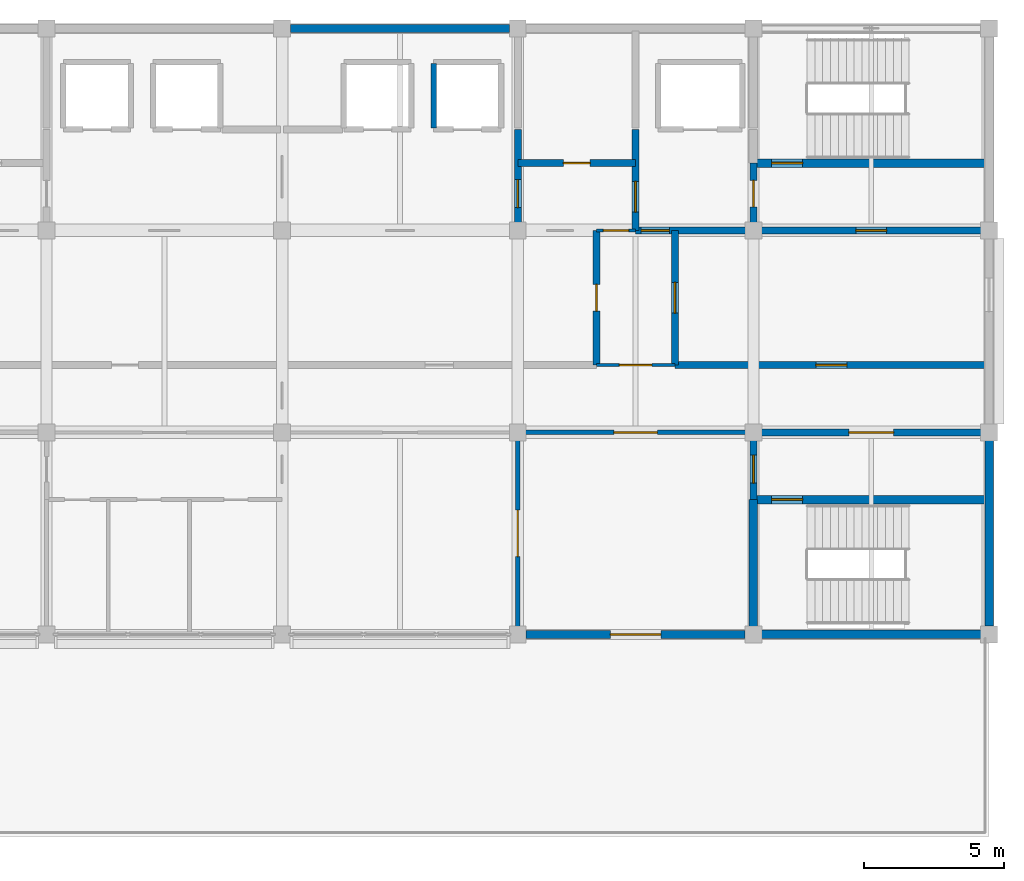
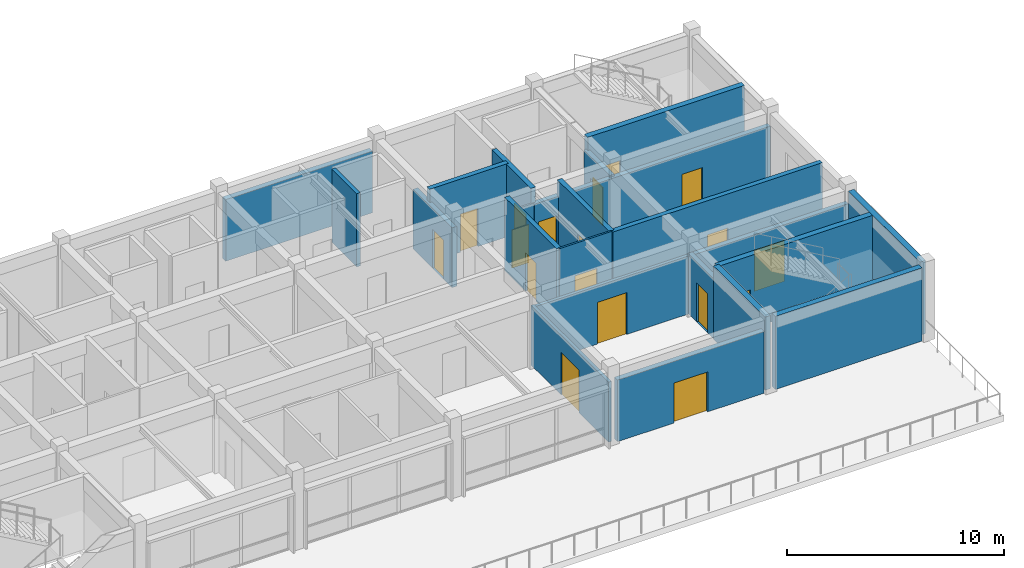
# One storey, part 8 of 11: 22 walls, 18 doors, 18 openings.
"""IFC4 building model written with IfcOpenShell, lengths in metres."""

from ifc_helpers import new_model, si_unit, direction, frame, frame_2d, origin, place, context, subcontext, project, spatial, rectangle, extrude, material, layer, layer_set, type_object, element, fill, save


model = new_model("IFC4")

# Units and contexts
model_context = context("Model", 3, precision=1e-05, world=origin(), true_north=direction((0.0, 1.0)))
body_context = subcontext(model_context, "Body", "Model", "MODEL_VIEW")
ifc_project = project(units=[si_unit("LENGTHUNIT", "METRE"), si_unit("AREAUNIT", "SQUARE_METRE"), si_unit("VOLUMEUNIT", "CUBIC_METRE"), si_unit("PLANEANGLEUNIT", "RADIAN"), si_unit("MASSUNIT", "GRAM", prefix="KILO")], contexts=[model_context])

# Site, building, storey
site_placement = place(None, origin())
site = spatial("IfcSite", under=ifc_project, at=site_placement, CompositionType="ELEMENT")
building_placement = place(site_placement, origin())
building = spatial("IfcBuilding", under=site, at=building_placement, Name="Chengyuan Square Courthouse", CompositionType="ELEMENT")
storey_placement = place(building_placement, frame((0.0, 0.0, 68.699951171875)))
storey = spatial("IfcBuildingStorey", under=building, at=storey_placement, Name="L16", CompositionType="ELEMENT", Elevation=68.699951171875)

# Wall
ifc_material_1 = material(Name="Concrete C40", Category="concrete")
ifc_layer_1 = layer(ifc_material_1, 0.280029296875)
ifc_layer_set_1 = layer_set([ifc_layer_1], Name="Concrete C40")
wall_type_1 = type_object("IfcWallType", Name="WL-EW4", PredefinedType="STANDARD", material=ifc_layer_set_1)
wall_1_placement = place(storey_placement, frame((84.294921875, 108.0, 0.0), z_axis=(0.0, 0.0, 1.0), x_axis=(1.0, 0.0, 0.0)))
element("IfcWall", 1, at=wall_1_placement, inside=storey, type_object=wall_type_1, Name="Exterior Wall WL-L16-E543", PredefinedType="STANDARD", context=body_context, shape_type="SweptSolid", body=[
    extrude(rectangle(XDim=7.81005859375, YDim=0.280029296875, at=frame_2d((3.905029296875, 0.0))), origin(), (0.0, 0.0, 1.0), 3.469970703125),
])

# Wall, opening, door
wall_2_placement = place(storey_placement, frame((92.695068359375, 86.39990234375, 0.0), z_axis=(0.0, 0.0, 1.0), x_axis=(1.0, 0.0, 0.0)))
wall_2 = element("IfcWall", 2, at=wall_2_placement, inside=storey, type_object=wall_type_1, Name="Exterior Wall WL-L16-E544", PredefinedType="STANDARD", context=body_context, shape_type="SweptSolid", body=[
    extrude(rectangle(XDim=7.809814453125, YDim=0.280029296875, at=frame_2d((3.90478515625, 0.0))), origin(), (0.0, 0.0, 1.0), 3.469970703125),
])
opening_1_placement = place(wall_2_placement, frame((3.0048828125, 0.0, 0.0)))
opening_1 = element("IfcOpeningElement", 3, at=opening_1_placement, cuts=wall_2, Name="Opening DR-010", PredefinedType="OPENING", context=body_context, shape_type="SweptSolid", body=[
    extrude(rectangle(XDim=1.800048828125, YDim=2.25, at=frame_2d((0.89990234375, 1.125))), frame((0.0, 0.152099609375, 0.0), z_axis=(0.0, -1.0, 0.0), x_axis=(1.0, 0.0, 0.0)), (0.0, 0.0, 1.0), 0.303955078125),
])
ifc_material_2 = material(Name="Thermally Broken Aluminium Terrace Door", Category="aluminium")
door_type_1 = type_object("IfcDoorType", Name="DT-02", OperationType="DOUBLE_DOOR_SINGLE_SWING", PredefinedType="DOOR", material=ifc_material_2)
door_1_placement = place(opening_1_placement, frame((1.800048828125, 0.0, 0.0), z_axis=(0.0, 0.0, 1.0), x_axis=(-1.0, 0.0, 0.0)))
door_1 = element("IfcDoor", 4, at=door_1_placement, inside=storey, type_object=door_type_1, Name="Planted Terrace Access Door DR-010", OperationType="DOUBLE_DOOR_SINGLE_SWING", OverallHeight=2.25, OverallWidth=1.800048828125, PredefinedType="DOOR", context=body_context, shape_type="SweptSolid", body=[
    extrude(rectangle(XDim=1.800048828125, YDim=2.25, at=frame_2d((0.89990234375, 1.125))), frame((0.0, 0.02490234375, 0.0), z_axis=(0.0, -1.0, 0.0), x_axis=(1.0, 0.0, 0.0)), (0.0, 0.0, 1.0), 0.050048828125),
])
fill(opening_1, door_1)

ifc_layer_2 = layer(ifc_material_1, 0.25)
ifc_layer_set_2 = layer_set([ifc_layer_2], Name="Concrete C40")
wall_type_2 = type_object("IfcWallType", Name="WL-FW1", PredefinedType="STANDARD", material=ifc_layer_set_2)
wall_3_placement = place(storey_placement, frame((100.800048828125, 93.60009765625, 0.0), z_axis=(0.0, 0.0, 1.0), x_axis=(1.0, 0.0, 0.0)))
wall_3 = element("IfcWall", 5, at=wall_3_placement, inside=storey, type_object=wall_type_2, Name="Interior Wall WL-L16-I4092", PredefinedType="STANDARD", context=body_context, shape_type="SweptSolid", body=[
    extrude(rectangle(XDim=8.35986328125, YDim=0.25, at=frame_2d((4.179931640625, 0.0))), origin(), (0.0, 0.0, 1.0), 3.27001953125),
])
opening_2_placement = place(wall_3_placement, frame((3.39990234375, 0.0, 0.0)))
opening_2 = element("IfcOpeningElement", 6, at=opening_2_placement, cuts=wall_3, Name="Opening DR-3380", PredefinedType="OPENING", context=body_context, shape_type="SweptSolid", body=[
    extrude(rectangle(XDim=1.60009765625, YDim=2.300048828125, at=frame_2d((0.800048828125, 1.14990234375))), frame((0.0, 0.136962890625, 0.0), z_axis=(0.0, -1.0, 0.0), x_axis=(1.0, 0.0, 0.0)), (0.0, 0.0, 1.0), 0.27392578125),
])
ifc_material_3 = material(Name="Steel Q235B Glazed Fire Door", Category="steel")
door_type_2 = type_object("IfcDoorType", Name="DT-17", OperationType="DOUBLE_DOOR_SINGLE_SWING", PredefinedType="DOOR", material=ifc_material_3)
door_2_placement = place(opening_2_placement, frame((1.60009765625, 0.0, 0.0), z_axis=(0.0, 0.0, 1.0), x_axis=(-1.0, 0.0, 0.0)))
door_2 = element("IfcDoor", 7, at=door_2_placement, inside=storey, type_object=door_type_2, Name="Interior Door DR-3380", OperationType="DOUBLE_DOOR_SINGLE_SWING", OverallHeight=2.300048828125, OverallWidth=1.60009765625, PredefinedType="DOOR", context=body_context, shape_type="SweptSolid", body=[
    extrude(rectangle(XDim=1.60009765625, YDim=2.300048828125, at=frame_2d((0.800048828125, 1.14990234375))), frame((0.0, 0.02490234375, 0.0), z_axis=(0.0, -1.0, 0.0), x_axis=(1.0, 0.0, 0.0)), (0.0, 0.0, 1.0), 0.050048828125),
])
fill(opening_2, door_2)

wall_4_placement = place(storey_placement, frame((98.0, 96.0, 0.0), z_axis=(0.0, 0.0, 1.0), x_axis=(1.0, 0.0, 0.0)))
wall_4 = element("IfcWall", 8, at=wall_4_placement, inside=storey, type_object=wall_type_2, Name="Interior Wall WL-L16-I4097", PredefinedType="STANDARD", context=body_context, shape_type="SweptSolid", body=[
    extrude(rectangle(XDim=11.159912109375, YDim=0.25, at=frame_2d((5.580078125, 0.0))), origin(), (0.0, 0.0, 1.0), 4.1201171875),
])
opening_3_placement = place(wall_4_placement, frame((5.030029296875, 0.0, 0.0)))
opening_3 = element("IfcOpeningElement", 9, at=opening_3_placement, cuts=wall_4, Name="Opening DR-3410", PredefinedType="OPENING", context=body_context, shape_type="SweptSolid", body=[
    extrude(rectangle(XDim=1.10009765625, YDim=2.199951171875, at=frame_2d((0.550048828125, 1.10009765625))), frame((0.0, 0.136962890625, 0.0), z_axis=(0.0, -1.0, 0.0), x_axis=(1.0, 0.0, 0.0)), (0.0, 0.0, 1.0), 0.27392578125),
])
ifc_material_4 = material(Name="Steel Q235B Fire Door", Category="steel")
door_type_3 = type_object("IfcDoorType", Name="DT-10", OperationType="NOTDEFINED", PredefinedType="DOOR", material=ifc_material_4)
door_3_placement = place(opening_3_placement, origin())
door_3 = element("IfcDoor", 10, at=door_3_placement, inside=storey, type_object=door_type_3, Name="Interior Door DR-3410", OperationType="SINGLE_SWING_RIGHT", OverallHeight=2.199951171875, OverallWidth=1.10009765625, PredefinedType="DOOR", context=body_context, shape_type="SweptSolid", body=[
    extrude(rectangle(XDim=1.10009765625, YDim=2.199951171875, at=frame_2d((0.550048828125, 1.10009765625))), frame((0.0, 0.02490234375, 0.0), z_axis=(0.0, -1.0, 0.0), x_axis=(1.0, 0.0, 0.0)), (0.0, 0.0, 1.0), 0.050048828125),
])
fill(opening_3, door_3)

# Wall, openings, doors
wall_5_placement = place(storey_placement, frame((96.60009765625, 100.800048828125, 0.0), z_axis=(0.0, 0.0, 1.0), x_axis=(1.0, 0.0, 0.0)))
wall_5 = element("IfcWall", 11, at=wall_5_placement, inside=storey, type_object=wall_type_2, Name="Interior Wall WL-L16-I4102", PredefinedType="STANDARD", context=body_context, shape_type="SweptSolid", body=[
    extrude(rectangle(XDim=12.559814453125, YDim=0.25, at=frame_2d((6.27978515625, 0.0))), origin(), (0.0, 0.0, 1.0), 3.27001953125),
])
opening_4_placement = place(wall_5_placement, frame((7.85009765625, 0.0, 0.0)))
opening_4 = element("IfcOpeningElement", 12, at=opening_4_placement, cuts=wall_5, Name="Opening DR-3377", PredefinedType="OPENING", context=body_context, shape_type="SweptSolid", body=[
    extrude(rectangle(XDim=1.10009765625, YDim=2.199951171875, at=frame_2d((0.550048828125, 1.10009765625))), frame((0.0, 0.136962890625, 0.0), z_axis=(0.0, -1.0, 0.0), x_axis=(1.0, 0.0, 0.0)), (0.0, 0.0, 1.0), 0.27392578125),
])
opening_5_placement = place(wall_5_placement, frame((0.199951171875, 0.0, 0.0)))
opening_5 = element("IfcOpeningElement", 13, at=opening_5_placement, cuts=wall_5, Name="Opening DR-3393", PredefinedType="OPENING", context=body_context, shape_type="SweptSolid", body=[
    extrude(rectangle(XDim=1.0, YDim=2.199951171875, at=frame_2d((0.5, 1.10009765625))), frame((0.0, 0.136962890625, 0.0), z_axis=(0.0, -1.0, 0.0), x_axis=(1.0, 0.0, 0.0)), (0.0, 0.0, 1.0), 0.27392578125),
])
door_4_placement = place(opening_4_placement, origin())
door_4 = element("IfcDoor", 14, at=door_4_placement, inside=storey, type_object=door_type_3, Name="Interior Door DR-3377", OperationType="SINGLE_SWING_RIGHT", OverallHeight=2.199951171875, OverallWidth=1.10009765625, PredefinedType="DOOR", context=body_context, shape_type="SweptSolid", body=[
    extrude(rectangle(XDim=1.10009765625, YDim=2.199951171875, at=frame_2d((0.550048828125, 1.10009765625))), frame((0.0, 0.02490234375, 0.0), z_axis=(0.0, -1.0, 0.0), x_axis=(1.0, 0.0, 0.0)), (0.0, 0.0, 1.0), 0.050048828125),
])
fill(opening_4, door_4)
door_type_4 = type_object("IfcDoorType", Name="DT-11", OperationType="NOTDEFINED", PredefinedType="DOOR", material=ifc_material_4)
door_5_placement = place(opening_5_placement, origin())
door_5 = element("IfcDoor", 15, at=door_5_placement, inside=storey, type_object=door_type_4, Name="Interior Door DR-3393", OperationType="SINGLE_SWING_RIGHT", OverallHeight=2.199951171875, OverallWidth=1.0, PredefinedType="DOOR", context=body_context, shape_type="SweptSolid", body=[
    extrude(rectangle(XDim=1.0, YDim=2.199951171875, at=frame_2d((0.5, 1.10009765625))), frame((0.0, 0.02490234375, 0.0), z_axis=(0.0, -1.0, 0.0), x_axis=(1.0, 0.0, 0.0)), (0.0, 0.0, 1.0), 0.050048828125),
])
fill(opening_5, door_5)

# Wall, opening, door
wall_6_placement = place(storey_placement, frame((92.39990234375, 103.199951171875, 0.0), z_axis=(0.0, 0.0, 1.0), x_axis=(1.0, 0.0, 0.0)))
wall_6 = element("IfcWall", 16, at=wall_6_placement, inside=storey, type_object=wall_type_2, Name="Interior Wall WL-L16-I4105", PredefinedType="STANDARD", context=body_context, shape_type="SweptSolid", body=[
    extrude(rectangle(XDim=4.2001953125, YDim=0.25, at=frame_2d((2.10009765625, 0.0))), origin(), (0.0, 0.0, 1.0), 4.1201171875),
])
opening_6_placement = place(wall_6_placement, frame((1.625, 0.0, 0.0)))
opening_6 = element("IfcOpeningElement", 17, at=opening_6_placement, cuts=wall_6, Name="Opening DR-3388", PredefinedType="OPENING", context=body_context, shape_type="SweptSolid", body=[
    extrude(rectangle(XDim=0.949951171875, YDim=2.14990234375, at=frame_2d((0.47509765625, 1.074951171875))), frame((0.0, 0.136962890625, 0.0), z_axis=(0.0, -1.0, 0.0), x_axis=(1.0, 0.0, 0.0)), (0.0, 0.0, 1.0), 0.27392578125),
])
door_type_5 = type_object("IfcDoorType", Name="DT-12", OperationType="NOTDEFINED", PredefinedType="DOOR", material=ifc_material_4)
door_6_placement = place(opening_6_placement, origin())
door_6 = element("IfcDoor", 18, at=door_6_placement, inside=storey, type_object=door_type_5, Name="Interior Door DR-3388", OperationType="SINGLE_SWING_LEFT", OverallHeight=2.14990234375, OverallWidth=0.949951171875, PredefinedType="DOOR", context=body_context, shape_type="SweptSolid", body=[
    extrude(rectangle(XDim=0.949951171875, YDim=2.14990234375, at=frame_2d((0.47509765625, 1.074951171875))), frame((0.0, 0.02490234375, 0.0), z_axis=(0.0, -1.0, 0.0), x_axis=(1.0, 0.0, 0.0)), (0.0, 0.0, 1.0), 0.050048828125),
])
fill(opening_6, door_6)

wall_7_placement = place(storey_placement, frame((92.39990234375, 100.800048828125, 0.0), z_axis=(0.0, 0.0, 1.0), x_axis=(0.0, 1.0, 0.0)))
wall_7 = element("IfcWall", 19, at=wall_7_placement, inside=storey, type_object=wall_type_2, Name="Interior Wall WL-L16-I4148", PredefinedType="STANDARD", context=body_context, shape_type="SweptSolid", body=[
    extrude(rectangle(XDim=3.599853515625, YDim=0.25, at=frame_2d((1.7998046875, 0.0))), origin(), (0.0, 0.0, 1.0), 3.3701171875),
])
opening_7_placement = place(wall_7_placement, frame((0.81005859375, 0.0, 0.0)))
opening_7 = element("IfcOpeningElement", 20, at=opening_7_placement, cuts=wall_7, Name="Opening DR-3390", PredefinedType="OPENING", context=body_context, shape_type="SweptSolid", body=[
    extrude(rectangle(XDim=1.0, YDim=2.199951171875, at=frame_2d((0.5, 1.10009765625))), frame((0.0, 0.136962890625, 0.0), z_axis=(0.0, -1.0, 0.0), x_axis=(1.0, 0.0, 0.0)), (0.0, 0.0, 1.0), 0.27392578125),
])
door_7_placement = place(opening_7_placement, origin())
door_7 = element("IfcDoor", 21, at=door_7_placement, inside=storey, type_object=door_type_4, Name="Interior Door DR-3390", OperationType="SINGLE_SWING_LEFT", OverallHeight=2.199951171875, OverallWidth=1.0, PredefinedType="DOOR", context=body_context, shape_type="SweptSolid", body=[
    extrude(rectangle(XDim=1.0, YDim=2.199951171875, at=frame_2d((0.5, 1.10009765625))), frame((0.0, 0.02490234375, 0.0), z_axis=(0.0, -1.0, 0.0), x_axis=(1.0, 0.0, 0.0)), (0.0, 0.0, 1.0), 0.050048828125),
])
fill(opening_7, door_7)

wall_8_placement = place(storey_placement, frame((95.199951171875, 96.0, 0.0), z_axis=(0.0, 0.0, 1.0), x_axis=(0.0, 1.0, 0.0)))
wall_8 = element("IfcWall", 22, at=wall_8_placement, inside=storey, type_object=wall_type_2, Name="Interior Wall WL-L16-I4150", PredefinedType="STANDARD", context=body_context, shape_type="SweptSolid", body=[
    extrude(rectangle(XDim=4.800048828125, YDim=0.25, at=frame_2d((2.39990234375, 0.0))), origin(), (0.0, 0.0, 1.0), 4.1201171875),
])
opening_8_placement = place(wall_8_placement, frame((1.925048828125, 0.0, 0.0)))
opening_8 = element("IfcOpeningElement", 23, at=opening_8_placement, cuts=wall_8, Name="Opening DR-3415", PredefinedType="OPENING", context=body_context, shape_type="SweptSolid", body=[
    extrude(rectangle(XDim=0.949951171875, YDim=2.14990234375, at=frame_2d((0.47509765625, 1.074951171875))), frame((0.0, 0.136962890625, 0.0), z_axis=(0.0, -1.0, 0.0), x_axis=(1.0, 0.0, 0.0)), (0.0, 0.0, 1.0), 0.27392578125),
])
door_8_placement = place(opening_8_placement, origin())
door_8 = element("IfcDoor", 24, at=door_8_placement, inside=storey, type_object=door_type_5, Name="Interior Door DR-3415", OperationType="SINGLE_SWING_RIGHT", OverallHeight=2.14990234375, OverallWidth=0.949951171875, PredefinedType="DOOR", context=body_context, shape_type="SweptSolid", body=[
    extrude(rectangle(XDim=0.949951171875, YDim=2.14990234375, at=frame_2d((0.47509765625, 1.074951171875))), frame((0.0, 0.02490234375, 0.0), z_axis=(0.0, -1.0, 0.0), x_axis=(1.0, 0.0, 0.0)), (0.0, 0.0, 1.0), 0.050048828125),
])
fill(opening_8, door_8)

wall_9_placement = place(storey_placement, frame((96.60009765625, 100.800048828125, 0.0), z_axis=(0.0, 0.0, 1.0), x_axis=(0.0, 1.0, 0.0)))
wall_9 = element("IfcWall", 25, at=wall_9_placement, inside=storey, type_object=wall_type_2, Name="Interior Wall WL-L16-I4151", PredefinedType="STANDARD", context=body_context, shape_type="SweptSolid", body=[
    extrude(rectangle(XDim=3.599853515625, YDim=0.25, at=frame_2d((1.7998046875, 0.0))), origin(), (0.0, 0.0, 1.0), 4.1201171875),
])
opening_9_placement = place(wall_9_placement, frame((0.64990234375, 0.0, 0.0)))
opening_9 = element("IfcOpeningElement", 26, at=opening_9_placement, cuts=wall_9, Name="Opening DR-3389", PredefinedType="OPENING", context=body_context, shape_type="SweptSolid", body=[
    extrude(rectangle(XDim=1.10009765625, YDim=2.199951171875, at=frame_2d((0.550048828125, 1.10009765625))), frame((0.0, 0.136962890625, 0.0), z_axis=(0.0, -1.0, 0.0), x_axis=(1.0, 0.0, 0.0)), (0.0, 0.0, 1.0), 0.27392578125),
])
door_9_placement = place(opening_9_placement, origin())
door_9 = element("IfcDoor", 27, at=door_9_placement, inside=storey, type_object=door_type_3, Name="Interior Door DR-3389", OperationType="SINGLE_SWING_RIGHT", OverallHeight=2.199951171875, OverallWidth=1.10009765625, PredefinedType="DOOR", context=body_context, shape_type="SweptSolid", body=[
    extrude(rectangle(XDim=1.10009765625, YDim=2.199951171875, at=frame_2d((0.550048828125, 1.10009765625))), frame((0.0, 0.02490234375, 0.0), z_axis=(0.0, -1.0, 0.0), x_axis=(1.0, 0.0, 0.0)), (0.0, 0.0, 1.0), 0.050048828125),
])
fill(opening_9, door_9)

wall_10_placement = place(storey_placement, frame((98.0, 96.0, 0.0), z_axis=(0.0, 0.0, 1.0), x_axis=(0.0, 1.0, 0.0)))
wall_10 = element("IfcWall", 28, at=wall_10_placement, inside=storey, type_object=wall_type_2, Name="Interior Wall WL-L16-I4154", PredefinedType="STANDARD", context=body_context, shape_type="SweptSolid", body=[
    extrude(rectangle(XDim=4.800048828125, YDim=0.25, at=frame_2d((2.39990234375, 0.0))), origin(), (0.0, 0.0, 1.0), 4.1201171875),
])
opening_10_placement = place(wall_10_placement, frame((1.85009765625, 0.0, 0.0)))
opening_10 = element("IfcOpeningElement", 29, at=opening_10_placement, cuts=wall_10, Name="Opening DR-3416", PredefinedType="OPENING", context=body_context, shape_type="SweptSolid", body=[
    extrude(rectangle(XDim=1.10009765625, YDim=2.199951171875, at=frame_2d((0.550048828125, 1.10009765625))), frame((0.0, 0.136962890625, 0.0), z_axis=(0.0, -1.0, 0.0), x_axis=(1.0, 0.0, 0.0)), (0.0, 0.0, 1.0), 0.27392578125),
])
door_10_placement = place(opening_10_placement, origin())
door_10 = element("IfcDoor", 30, at=door_10_placement, inside=storey, type_object=door_type_3, Name="Interior Door DR-3416", OperationType="SINGLE_SWING_LEFT", OverallHeight=2.199951171875, OverallWidth=1.10009765625, PredefinedType="DOOR", context=body_context, shape_type="SweptSolid", body=[
    extrude(rectangle(XDim=1.10009765625, YDim=2.199951171875, at=frame_2d((0.550048828125, 1.10009765625))), frame((0.0, 0.02490234375, 0.0), z_axis=(0.0, -1.0, 0.0), x_axis=(1.0, 0.0, 0.0)), (0.0, 0.0, 1.0), 0.050048828125),
])
fill(opening_10, door_10)

wall_11_placement = place(storey_placement, frame((100.800048828125, 91.199951171875, 0.0), z_axis=(0.0, 0.0, 1.0), x_axis=(0.0, 1.0, 0.0)))
wall_11 = element("IfcWall", 31, at=wall_11_placement, inside=storey, type_object=wall_type_2, Name="Interior Wall WL-L16-I4157", PredefinedType="STANDARD", context=body_context, shape_type="SweptSolid", body=[
    extrude(rectangle(XDim=2.400146484375, YDim=0.25, at=frame_2d((1.2001953125, 0.0))), origin(), (0.0, 0.0, 1.0), 3.3701171875),
])
opening_11_placement = place(wall_11_placement, frame((0.590087890625, 0.0, 0.0)))
opening_11 = element("IfcOpeningElement", 32, at=opening_11_placement, cuts=wall_11, Name="Opening DR-3381", PredefinedType="OPENING", context=body_context, shape_type="SweptSolid", body=[
    extrude(rectangle(XDim=1.0, YDim=2.199951171875, at=frame_2d((0.5, 1.10009765625))), frame((0.0, 0.136962890625, 0.0), z_axis=(0.0, -1.0, 0.0), x_axis=(1.0, 0.0, 0.0)), (0.0, 0.0, 1.0), 0.27392578125),
])
door_11_placement = place(opening_11_placement, origin())
door_11 = element("IfcDoor", 33, at=door_11_placement, inside=storey, type_object=door_type_4, Name="Interior Door DR-3381", OperationType="SINGLE_SWING_RIGHT", OverallHeight=2.199951171875, OverallWidth=1.0, PredefinedType="DOOR", context=body_context, shape_type="SweptSolid", body=[
    extrude(rectangle(XDim=1.0, YDim=2.199951171875, at=frame_2d((0.5, 1.10009765625))), frame((0.0, 0.02490234375, 0.0), z_axis=(0.0, -1.0, 0.0), x_axis=(1.0, 0.0, 0.0)), (0.0, 0.0, 1.0), 0.050048828125),
])
fill(opening_11, door_11)

wall_12_placement = place(storey_placement, frame((100.800048828125, 100.800048828125, 0.0), z_axis=(0.0, 0.0, 1.0), x_axis=(0.0, 1.0, 0.0)))
wall_12 = element("IfcWall", 34, at=wall_12_placement, inside=storey, type_object=wall_type_2, Name="Interior Wall WL-L16-I4158", PredefinedType="STANDARD", context=body_context, shape_type="SweptSolid", body=[
    extrude(rectangle(XDim=2.39990234375, YDim=0.25, at=frame_2d((1.199951171875, 0.0))), origin(), (0.0, 0.0, 1.0), 3.3701171875),
])
opening_12_placement = place(wall_12_placement, frame((0.8349609375, 0.0, 0.0)))
opening_12 = element("IfcOpeningElement", 35, at=opening_12_placement, cuts=wall_12, Name="Opening DR-3376", PredefinedType="OPENING", context=body_context, shape_type="SweptSolid", body=[
    extrude(rectangle(XDim=0.949951171875, YDim=2.14990234375, at=frame_2d((0.47509765625, 1.074951171875))), frame((0.0, 0.136962890625, 0.0), z_axis=(0.0, -1.0, 0.0), x_axis=(1.0, 0.0, 0.0)), (0.0, 0.0, 1.0), 0.27392578125),
])
door_12_placement = place(opening_12_placement, origin())
door_12 = element("IfcDoor", 36, at=door_12_placement, inside=storey, type_object=door_type_5, Name="Interior Door DR-3376", OperationType="SINGLE_SWING_LEFT", OverallHeight=2.14990234375, OverallWidth=0.949951171875, PredefinedType="DOOR", context=body_context, shape_type="SweptSolid", body=[
    extrude(rectangle(XDim=0.949951171875, YDim=2.14990234375, at=frame_2d((0.47509765625, 1.074951171875))), frame((0.0, 0.02490234375, 0.0), z_axis=(0.0, -1.0, 0.0), x_axis=(1.0, 0.0, 0.0)), (0.0, 0.0, 1.0), 0.050048828125),
])
fill(opening_12, door_12)

ifc_material_5 = material(Name="Acoustic Timber-Lined Gypsum Partition", Category="wood")
ifc_layer_3 = layer(ifc_material_5, 0.159912109375)
ifc_layer_set_3 = layer_set([ifc_layer_3], Name="Acoustic Timber-Lined Gypsum Partition")
wall_type_3 = type_object("IfcWallType", Name="WL-PT2", PredefinedType="STANDARD", material=ifc_layer_set_3)
wall_13_placement = place(storey_placement, frame((92.39990234375, 93.60009765625, 0.0), z_axis=(0.0, 0.0, 1.0), x_axis=(1.0, 0.0, 0.0)))
wall_13 = element("IfcWall", 37, at=wall_13_placement, inside=storey, type_object=wall_type_3, Name="Interior Wall WL-L16-I4091", PredefinedType="STANDARD", context=body_context, shape_type="SweptSolid", body=[
    extrude(rectangle(XDim=8.400146484375, YDim=0.159912109375, at=frame_2d((4.2001953125, 0.0))), origin(), (0.0, 0.0, 1.0), 3.27001953125),
])
opening_13_placement = place(wall_13_placement, frame((3.425048828125, 0.0, 0.0)))
opening_13 = element("IfcOpeningElement", 38, at=opening_13_placement, cuts=wall_13, Name="Opening DR-3412", PredefinedType="OPENING", context=body_context, shape_type="SweptSolid", body=[
    extrude(rectangle(XDim=1.550048828125, YDim=2.35009765625, at=frame_2d((0.77490234375, 1.175048828125))), frame((0.0, 0.092041015625, 0.0), z_axis=(0.0, -1.0, 0.0), x_axis=(1.0, 0.0, 0.0)), (0.0, 0.0, 1.0), 0.183837890625),
])
ifc_material_6 = material(Name="Acoustic Larch Veneer Double Door")
door_type_6 = type_object("IfcDoorType", Name="DT-23", OperationType="DOUBLE_DOOR_SINGLE_SWING", PredefinedType="DOOR", material=ifc_material_6)
door_13_placement = place(opening_13_placement, frame((1.550048828125, 0.0, 0.0), z_axis=(0.0, 0.0, 1.0), x_axis=(-1.0, 0.0, 0.0)))
door_13 = element("IfcDoor", 39, at=door_13_placement, inside=storey, type_object=door_type_6, Name="Interior Door DR-3412", OperationType="DOUBLE_DOOR_SINGLE_SWING", OverallHeight=2.35009765625, OverallWidth=1.550048828125, PredefinedType="DOOR", context=body_context, shape_type="SweptSolid", body=[
    extrude(rectangle(XDim=1.550048828125, YDim=2.35009765625, at=frame_2d((0.77490234375, 1.175048828125))), frame((0.0, 0.02490234375, 0.0), z_axis=(0.0, -1.0, 0.0), x_axis=(1.0, 0.0, 0.0)), (0.0, 0.0, 1.0), 0.050048828125),
])
fill(opening_13, door_13)

wall_14_placement = place(storey_placement, frame((92.39990234375, 86.43994140625, 0.0), z_axis=(0.0, 0.0, 1.0), x_axis=(0.0, 1.0, 0.0)))
wall_14 = element("IfcWall", 40, at=wall_14_placement, inside=storey, type_object=wall_type_3, Name="Interior Wall WL-L16-I4147", PredefinedType="STANDARD", context=body_context, shape_type="SweptSolid", body=[
    extrude(rectangle(XDim=7.16015625, YDim=0.159912109375, at=frame_2d((3.580078125, 0.0))), origin(), (0.0, 0.0, 1.0), 3.3701171875),
])
opening_14_placement = place(wall_14_placement, frame((2.735107421875, 0.0, 0.0)))
opening_14 = element("IfcOpeningElement", 41, at=opening_14_placement, cuts=wall_14, Name="Opening DR-3417", PredefinedType="OPENING", context=body_context, shape_type="SweptSolid", body=[
    extrude(rectangle(XDim=1.64990234375, YDim=2.39990234375, at=frame_2d((0.824951171875, 1.199951171875))), frame((0.0, 0.092041015625, 0.0), z_axis=(0.0, -1.0, 0.0), x_axis=(1.0, 0.0, 0.0)), (0.0, 0.0, 1.0), 0.183837890625),
])
door_type_7 = type_object("IfcDoorType", Name="DT-22", OperationType="DOUBLE_DOOR_SINGLE_SWING", PredefinedType="DOOR", material=ifc_material_6)
door_14_placement = place(opening_14_placement, frame((1.64990234375, 0.0, 0.0), z_axis=(0.0, 0.0, 1.0), x_axis=(-1.0, 0.0, 0.0)))
door_14 = element("IfcDoor", 42, at=door_14_placement, inside=storey, type_object=door_type_7, Name="Interior Door DR-3417", OperationType="DOUBLE_DOOR_SINGLE_SWING", OverallHeight=2.39990234375, OverallWidth=1.64990234375, PredefinedType="DOOR", context=body_context, shape_type="SweptSolid", body=[
    extrude(rectangle(XDim=1.64990234375, YDim=2.39990234375, at=frame_2d((0.824951171875, 1.199951171875))), frame((0.0, 0.02490234375, 0.0), z_axis=(0.0, -1.0, 0.0), x_axis=(1.0, 0.0, 0.0)), (0.0, 0.0, 1.0), 0.050048828125),
])
fill(opening_14, door_14)

ifc_material_7 = material(Name="Gypsum Plasterboard Acoustic Stud Partition")
ifc_layer_4 = layer(ifc_material_7, 0.10009765625)
ifc_layer_set_4 = layer_set([ifc_layer_4], Name="Gypsum Plasterboard Acoustic Stud Partition")
wall_type_4 = type_object("IfcWallType", Name="WL-PT6", PredefinedType="STANDARD", material=ifc_layer_set_4)
wall_15_placement = place(storey_placement, frame((95.199951171875, 96.0, 0.0), z_axis=(0.0, 0.0, 1.0), x_axis=(1.0, 0.0, 0.0)))
wall_15 = element("IfcWall", 43, at=wall_15_placement, inside=storey, type_object=wall_type_4, Name="Interior Wall WL-L16-I4096", PredefinedType="STANDARD", context=body_context, shape_type="SweptSolid", body=[
    extrude(rectangle(XDim=2.800048828125, YDim=0.10009765625, at=frame_2d((1.39990234375, 0.0))), origin(), (0.0, 0.0, 1.0), 4.1201171875),
])
opening_15_placement = place(wall_15_placement, frame((0.820068359375, 0.0, 0.0)))
opening_15 = element("IfcOpeningElement", 44, at=opening_15_placement, cuts=wall_15, Name="Opening DR-3409", PredefinedType="OPENING", context=body_context, shape_type="SweptSolid", body=[
    extrude(rectangle(XDim=1.159912109375, YDim=2.300048828125, at=frame_2d((0.580078125, 1.14990234375))), frame((0.0, 0.06201171875, 0.0), z_axis=(0.0, -1.0, 0.0), x_axis=(1.0, 0.0, 0.0)), (0.0, 0.0, 1.0), 0.1240234375),
])
ifc_material_8 = material(Name="Acoustic Solid-Core Timber Door", Category="wood")
door_type_8 = type_object("IfcDoorType", Name="DT-35", OperationType="NOTDEFINED", PredefinedType="DOOR", material=ifc_material_8)
door_15_placement = place(opening_15_placement, origin())
door_15 = element("IfcDoor", 45, at=door_15_placement, inside=storey, type_object=door_type_8, Name="Interior Door DR-3409", OperationType="SINGLE_SWING_LEFT", OverallHeight=2.300048828125, OverallWidth=1.159912109375, PredefinedType="DOOR", context=body_context, shape_type="SweptSolid", body=[
    extrude(rectangle(XDim=1.159912109375, YDim=2.300048828125, at=frame_2d((0.580078125, 1.14990234375))), frame((0.0, 0.02490234375, 0.0), z_axis=(0.0, -1.0, 0.0), x_axis=(1.0, 0.0, 0.0)), (0.0, 0.0, 1.0), 0.050048828125),
])
fill(opening_15, door_15)

wall_16_placement = place(storey_placement, frame((95.199951171875, 100.800048828125, 0.0), z_axis=(0.0, 0.0, 1.0), x_axis=(1.0, 0.0, 0.0)))
wall_16 = element("IfcWall", 46, at=wall_16_placement, inside=storey, type_object=wall_type_4, Name="Interior Wall WL-L16-I4101", PredefinedType="STANDARD", context=body_context, shape_type="SweptSolid", body=[
    extrude(rectangle(XDim=1.400146484375, YDim=0.10009765625, at=frame_2d((0.7001953125, 0.0))), origin(), (0.0, 0.0, 1.0), 3.27001953125),
])
opening_16_placement = place(wall_16_placement, frame((0.25, 0.0, 0.0)))
opening_16 = element("IfcOpeningElement", 47, at=opening_16_placement, cuts=wall_16, Name="Opening DR-3392", PredefinedType="OPENING", context=body_context, shape_type="SweptSolid", body=[
    extrude(rectangle(XDim=0.89990234375, YDim=2.14990234375, at=frame_2d((0.449951171875, 1.074951171875))), frame((0.0, 0.06201171875, 0.0), z_axis=(0.0, -1.0, 0.0), x_axis=(1.0, 0.0, 0.0)), (0.0, 0.0, 1.0), 0.1240234375),
])
door_type_9 = type_object("IfcDoorType", Name="DT-27", OperationType="NOTDEFINED", PredefinedType="DOOR", material=ifc_material_8)
door_16_placement = place(opening_16_placement, origin())
door_16 = element("IfcDoor", 48, at=door_16_placement, inside=storey, type_object=door_type_9, Name="Interior Door DR-3392", OperationType="SINGLE_SWING_LEFT", OverallHeight=2.14990234375, OverallWidth=0.89990234375, PredefinedType="DOOR", context=body_context, shape_type="SweptSolid", body=[
    extrude(rectangle(XDim=0.89990234375, YDim=2.14990234375, at=frame_2d((0.449951171875, 1.074951171875))), frame((0.0, 0.02490234375, 0.0), z_axis=(0.0, -1.0, 0.0), x_axis=(1.0, 0.0, 0.0)), (0.0, 0.0, 1.0), 0.050048828125),
])
fill(opening_16, door_16)

# Walls
ifc_material_9 = material(Name="Reinforced Masonry Shaft Enclosure", Category="masonry")
ifc_layer_5 = layer(ifc_material_9, 0.199951171875)
ifc_layer_set_5 = layer_set([ifc_layer_5], Name="Reinforced Masonry Shaft Enclosure")
wall_type_5 = type_object("IfcWallType", Name="WL-SH1", PredefinedType="STANDARD", material=ifc_layer_set_5)
wall_17_placement = place(storey_placement, frame((89.39990234375, 104.449951171875, 0.0), z_axis=(0.0, 0.0, 1.0), x_axis=(0.0, 1.0, 0.0)))
element("IfcWall", 49, at=wall_17_placement, inside=storey, type_object=wall_type_5, Name="Interior Wall WL-L16-I4145", PredefinedType="STANDARD", context=body_context, shape_type="SweptSolid", body=[
    extrude(rectangle(XDim=2.300048828125, YDim=0.199951171875, at=frame_2d((1.14990234375, 0.0))), origin(), (0.0, 0.0, 1.0), 4.1201171875),
])
ifc_layer_6 = layer(ifc_material_1, 0.300048828125)
ifc_layer_set_6 = layer_set([ifc_layer_6], Name="Concrete C40")
wall_type_6 = type_object("IfcWallType", Name="WL-SW2", PredefinedType="SHEAR", material=ifc_layer_set_6)
wall_18_placement = place(storey_placement, frame((101.094970703125, 86.39990234375, 0.0), z_axis=(0.0, 0.0, 1.0), x_axis=(1.0, 0.0, 0.0)))
element("IfcWall", 50, at=wall_18_placement, inside=storey, type_object=wall_type_6, Name="Exterior Wall WL-L16-E546", PredefinedType="SHEAR", context=body_context, shape_type="SweptSolid", body=[
    extrude(rectangle(XDim=7.81005859375, YDim=0.300048828125, at=frame_2d((3.905029296875, 0.0))), origin(), (0.0, 0.0, 1.0), 4.1201171875),
])
wall_19_placement = place(storey_placement, frame((109.199951171875, 86.695068359375, 0.0), z_axis=(0.0, 0.0, 1.0), x_axis=(0.0, 1.0, 0.0)))
element("IfcWall", 51, at=wall_19_placement, inside=storey, type_object=wall_type_6, Name="Exterior Wall WL-L16-E547", PredefinedType="SHEAR", context=body_context, shape_type="SweptSolid", body=[
    extrude(rectangle(XDim=6.60986328125, YDim=0.300048828125, at=frame_2d((3.304931640625, 0.0))), origin(), (0.0, 0.0, 1.0), 4.1201171875),
])

# Wall, opening, door
wall_20_placement = place(storey_placement, frame((100.800048828125, 91.199951171875, 0.0), z_axis=(0.0, 0.0, 1.0), x_axis=(1.0, 0.0, 0.0)))
wall_20 = element("IfcWall", 52, at=wall_20_placement, inside=storey, type_object=wall_type_6, Name="Interior Wall WL-L16-I4087", PredefinedType="SHEAR", context=body_context, shape_type="SweptSolid", body=[
    extrude(rectangle(XDim=8.35986328125, YDim=0.300048828125, at=frame_2d((4.179931640625, 0.0))), origin(), (0.0, 0.0, 1.0), 4.1201171875),
])
opening_17_placement = place(wall_20_placement, frame((0.64990234375, 0.0, 0.0)))
opening_17 = element("IfcOpeningElement", 53, at=opening_17_placement, cuts=wall_20, Name="Opening DR-3373", PredefinedType="OPENING", context=body_context, shape_type="SweptSolid", body=[
    extrude(rectangle(XDim=1.10009765625, YDim=2.199951171875, at=frame_2d((0.550048828125, 1.10009765625))), frame((0.0, 0.162109375, 0.0), z_axis=(0.0, -1.0, 0.0), x_axis=(1.0, 0.0, 0.0)), (0.0, 0.0, 1.0), 0.323974609375),
])
door_17_placement = place(opening_17_placement, frame((1.10009765625, 0.0, 0.0), z_axis=(0.0, 0.0, 1.0), x_axis=(-1.0, 0.0, 0.0)))
door_17 = element("IfcDoor", 54, at=door_17_placement, inside=storey, type_object=door_type_3, Name="Smoke-Proof Stairwell Fire Door ST-4 DR-3373", OperationType="SINGLE_SWING_RIGHT", OverallHeight=2.199951171875, OverallWidth=1.10009765625, PredefinedType="DOOR", context=body_context, shape_type="SweptSolid", body=[
    extrude(rectangle(XDim=1.10009765625, YDim=2.199951171875, at=frame_2d((0.550048828125, 1.10009765625))), frame((0.0, 0.02490234375, 0.0), z_axis=(0.0, -1.0, 0.0), x_axis=(1.0, 0.0, 0.0)), (0.0, 0.0, 1.0), 0.050048828125),
])
fill(opening_17, door_17)

wall_21_placement = place(storey_placement, frame((100.800048828125, 103.199951171875, 0.0), z_axis=(0.0, 0.0, 1.0), x_axis=(1.0, 0.0, 0.0)))
wall_21 = element("IfcWall", 55, at=wall_21_placement, inside=storey, type_object=wall_type_6, Name="Interior Wall WL-L16-I4106", PredefinedType="SHEAR", context=body_context, shape_type="SweptSolid", body=[
    extrude(rectangle(XDim=8.35986328125, YDim=0.300048828125, at=frame_2d((4.179931640625, 0.0))), origin(), (0.0, 0.0, 1.0), 4.1201171875),
])
opening_18_placement = place(wall_21_placement, frame((0.64990234375, 0.0, 0.0)))
opening_18 = element("IfcOpeningElement", 56, at=opening_18_placement, cuts=wall_21, Name="Opening DR-3371", PredefinedType="OPENING", context=body_context, shape_type="SweptSolid", body=[
    extrude(rectangle(XDim=1.10009765625, YDim=2.199951171875, at=frame_2d((0.550048828125, 1.10009765625))), frame((0.0, 0.162109375, 0.0), z_axis=(0.0, -1.0, 0.0), x_axis=(1.0, 0.0, 0.0)), (0.0, 0.0, 1.0), 0.323974609375),
])
door_18_placement = place(opening_18_placement, origin())
door_18 = element("IfcDoor", 57, at=door_18_placement, inside=storey, type_object=door_type_3, Name="Smoke-Proof Stairwell Fire Door ST-2 DR-3371", OperationType="SINGLE_SWING_RIGHT", OverallHeight=2.199951171875, OverallWidth=1.10009765625, PredefinedType="DOOR", context=body_context, shape_type="SweptSolid", body=[
    extrude(rectangle(XDim=1.10009765625, YDim=2.199951171875, at=frame_2d((0.550048828125, 1.10009765625))), frame((0.0, 0.02490234375, 0.0), z_axis=(0.0, -1.0, 0.0), x_axis=(1.0, 0.0, 0.0)), (0.0, 0.0, 1.0), 0.050048828125),
])
fill(opening_18, door_18)

# Wall
wall_22_placement = place(storey_placement, frame((100.800048828125, 86.43994140625, 0.0), z_axis=(0.0, 0.0, 1.0), x_axis=(0.0, 1.0, 0.0)))
element("IfcWall", 58, at=wall_22_placement, inside=storey, type_object=wall_type_6, Name="Interior Wall WL-L16-I4156", PredefinedType="SHEAR", context=body_context, shape_type="SweptSolid", body=[
    extrude(rectangle(XDim=4.760009765625, YDim=0.300048828125, at=frame_2d((2.3798828125, 0.0))), origin(), (0.0, 0.0, 1.0), 4.1201171875),
])

save(model, "model.ifc")
